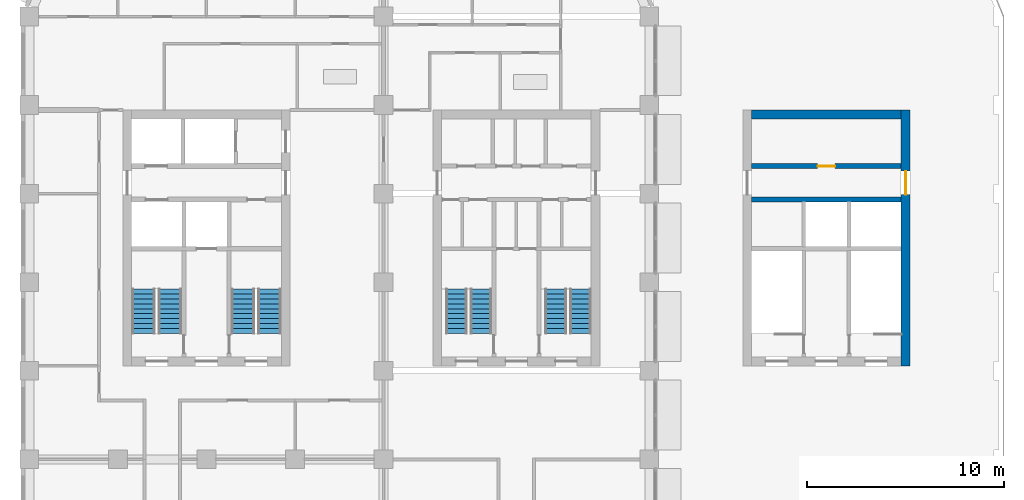
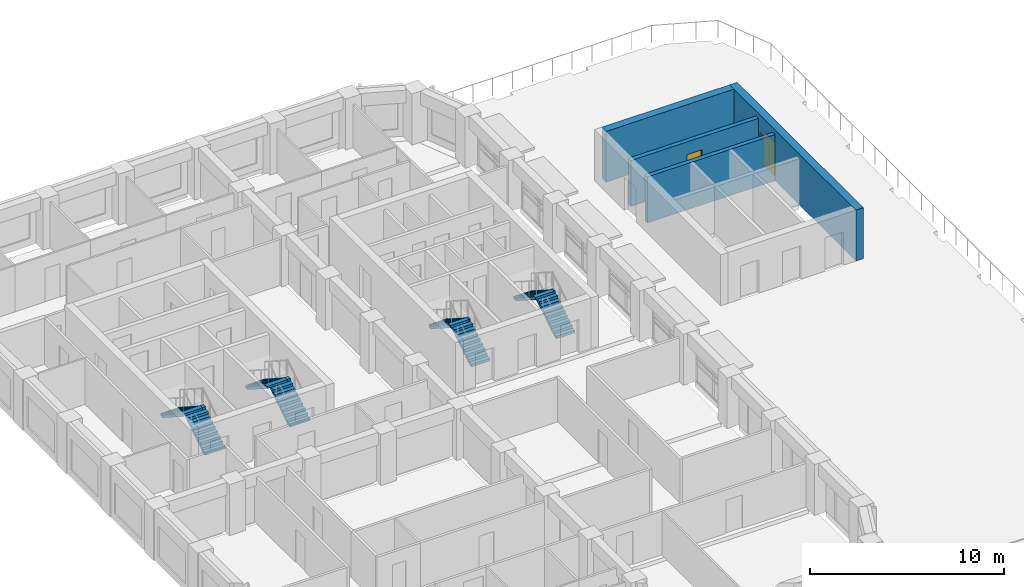
# One storey, part 12 of 15: 8 stair flights, 4 walls, 2 doors, 2 openings, 4 elements without a shape of their own.
"""IFC4 building model written with IfcOpenShell, lengths in metres."""

from ifc_helpers import new_model, si_unit, direction, frame, frame_2d, origin, place, context, subcontext, project, spatial, polyline, rectangle, outline, extrude, material, layer, layer_set, type_object, element, fill, aggregate, save


model = new_model("IFC4")

# Units and contexts
model_context = context("Model", 3, precision=1e-05, world=origin(), true_north=direction((0.0, 1.0)))
body_context = subcontext(model_context, "Body", "Model", "MODEL_VIEW")
ifc_project = project(units=[si_unit("LENGTHUNIT", "METRE"), si_unit("AREAUNIT", "SQUARE_METRE"), si_unit("VOLUMEUNIT", "CUBIC_METRE"), si_unit("PLANEANGLEUNIT", "RADIAN"), si_unit("MASSUNIT", "GRAM", prefix="KILO")], contexts=[model_context])

# Site, building, storey
site_placement = place(None, origin())
site = spatial("IfcSite", under=ifc_project, at=site_placement, CompositionType="ELEMENT")
building_placement = place(site_placement, origin())
building = spatial("IfcBuilding", under=site, at=building_placement, Name="Girih Gate Residences", CompositionType="ELEMENT")
storey_placement = place(building_placement, frame((0.0, 0.0, 176.300048828125)))
storey = spatial("IfcBuildingStorey", under=building, at=storey_placement, Name="L48", CompositionType="ELEMENT", Elevation=176.300048828125)

# Wall
ifc_material_1 = material(Name="Concrete C60/75", Category="concrete")
ifc_layer_1 = layer(ifc_material_1, 0.449951171875)
ifc_layer_set_1 = layer_set([ifc_layer_1], Name="Core wall RC 450 Concrete C60/75")
wall_type_1 = type_object("IfcWallType", Name="Core wall RC 450 Concrete C60/75", PredefinedType="SOLIDWALL", material=ifc_layer_set_1)
wall_1_placement = place(storey_placement, frame((36.699951171875, 40.02490234375, 0.0), z_axis=(0.0, 0.0, 1.0), x_axis=(1.0, 0.0, 0.0)))
element("IfcWall", 1, at=wall_1_placement, inside=storey, type_object=wall_type_1, Name="Core wall E-N L48", PredefinedType="SOLIDWALL", context=body_context, shape_type="SweptSolid", body=[
    extrude(rectangle(XDim=7.60009765625, YDim=0.449951171875, at=frame_2d((3.800048828125, 0.0))), origin(), (0.0, 0.0, 1.0), 3.199951171875),
])

# Wall, opening, door
wall_2_placement = place(storey_placement, frame((44.52490234375, 27.25, 0.0), z_axis=(0.0, 0.0, 1.0), x_axis=(0.0, 1.0, 0.0)))
wall_2 = element("IfcWall", 2, at=wall_2_placement, inside=storey, type_object=wall_type_1, Name="Core wall E-E L48", PredefinedType="SOLIDWALL", context=body_context, shape_type="SweptSolid", body=[
    extrude(rectangle(XDim=13.0, YDim=0.449951171875, at=frame_2d((6.5, 0.0))), origin(), (0.0, 0.0, 1.0), 3.199951171875),
])
opening_1_placement = place(wall_2_placement, frame((8.699951171875, 0.0, 0.0)))
opening_1 = element("IfcOpeningElement", 3, at=opening_1_placement, cuts=wall_2, Name="Opening D-L48-E-008", PredefinedType="OPENING", context=body_context, shape_type="SweptSolid", body=[
    extrude(rectangle(XDim=1.199951171875, YDim=2.10009765625, at=frame_2d((0.60009765625, 1.050048828125))), frame((0.0, 0.23486328125, 0.0), z_axis=(0.0, -1.0, 0.0), x_axis=(1.0, 0.0, 0.0)), (0.0, 0.0, 1.0), 0.469970703125),
])
ifc_material_2 = material(Name="Painted steel, fire-resisting", Category="steel")
door_type_1 = type_object("IfcDoorType", Name="Fire door 1200x2100", OperationType="SINGLE_SWING_LEFT", PredefinedType="DOOR", material=ifc_material_2)
door_1_placement = place(opening_1_placement, origin())
door_1 = element("IfcDoor", 4, at=door_1_placement, inside=storey, type_object=door_type_1, Name="L48 E core door ll-e", OperationType="SINGLE_SWING_LEFT", OverallHeight=2.10009765625, OverallWidth=1.199951171875, PredefinedType="DOOR", context=body_context, shape_type="SweptSolid", body=[
    extrude(rectangle(XDim=1.199951171875, YDim=2.10009765625, at=frame_2d((0.60009765625, 1.050048828125))), frame((0.0, 0.02490234375, 0.0), z_axis=(0.0, -1.0, 0.0), x_axis=(1.0, 0.0, 0.0)), (0.0, 0.0, 1.0), 0.050048828125),
])
fill(opening_1, door_1)

# Wall
ifc_material_3 = material(Name="Concrete C40/50", Category="concrete")
ifc_layer_2 = layer(ifc_material_3, 0.25)
ifc_layer_set_2 = layer_set([ifc_layer_2], Name="Lift shaft wall 250")
wall_type_2 = type_object("IfcWallType", Name="Lift shaft wall 250", PredefinedType="SOLIDWALL", material=ifc_layer_set_2)
wall_3_placement = place(storey_placement, frame((36.699951171875, 35.699951171875, 0.0), z_axis=(0.0, 0.0, 1.0), x_axis=(1.0, 0.0, 0.0)))
element("IfcWall", 5, at=wall_3_placement, inside=storey, type_object=wall_type_2, Name="L48 E core wall H2", PredefinedType="SOLIDWALL", context=body_context, shape_type="SweptSolid", body=[
    extrude(rectangle(XDim=7.60009765625, YDim=0.25, at=frame_2d((3.800048828125, 0.0))), origin(), (0.0, 0.0, 1.0), 2.89990234375),
])

# Wall, opening, door
wall_4_placement = place(storey_placement, frame((36.699951171875, 37.39990234375, 0.0), z_axis=(0.0, 0.0, 1.0), x_axis=(1.0, 0.0, 0.0)))
wall_4 = element("IfcWall", 6, at=wall_4_placement, inside=storey, type_object=wall_type_2, Name="L48 E core wall H3", PredefinedType="SOLIDWALL", context=body_context, shape_type="SweptSolid", body=[
    extrude(rectangle(XDim=7.60009765625, YDim=0.25, at=frame_2d((3.800048828125, 0.0))), origin(), (0.0, 0.0, 1.0), 2.89990234375),
])
opening_2_placement = place(wall_4_placement, frame((3.35009765625, 0.0, 0.0)))
opening_2 = element("IfcOpeningElement", 7, at=opening_2_placement, cuts=wall_4, Name="Opening D-L48-E-003", PredefinedType="OPENING", context=body_context, shape_type="SweptSolid", body=[
    extrude(rectangle(XDim=0.89990234375, YDim=2.10009765625, at=frame_2d((0.449951171875, 1.050048828125))), frame((0.0, 0.135009765625, 0.0), z_axis=(0.0, -1.0, 0.0), x_axis=(1.0, 0.0, 0.0)), (0.0, 0.0, 1.0), 0.27001953125),
])
door_type_2 = type_object("IfcDoorType", Name="Fire door 900x2100", OperationType="SINGLE_SWING_LEFT", PredefinedType="DOOR", material=ifc_material_2)
door_2_placement = place(opening_2_placement, origin())
door_2 = element("IfcDoor", 8, at=door_2_placement, inside=storey, type_object=door_type_2, Name="L48 E terrace store door", OperationType="SINGLE_SWING_LEFT", OverallHeight=2.10009765625, OverallWidth=0.89990234375, PredefinedType="DOOR", context=body_context, shape_type="SweptSolid", body=[
    extrude(rectangle(XDim=0.89990234375, YDim=2.10009765625, at=frame_2d((0.449951171875, 1.050048828125))), frame((0.0, 0.02490234375, 0.0), z_axis=(0.0, -1.0, 0.0), x_axis=(1.0, 0.0, 0.0)), (0.0, 0.0, 1.0), 0.050048828125),
])
fill(opening_2, door_2)

# Stair, stair flights
stair_type_1 = type_object("IfcStairType", Name="Exit stair C core", PredefinedType="HALF_TURN_STAIR", material=ifc_material_3)
stair_1_placement = place(storey_placement, origin())
stair_1 = element("IfcStair", 9, at=stair_1_placement, inside=storey, type_object=stair_type_1, Name="L48 Exit Stair ST-C1", PredefinedType="HALF_TURN_STAIR")
stair_flight_type_1 = type_object("IfcStairFlightType", Name="Stair flight 1100", PredefinedType="STRAIGHT", material=ifc_material_3)
stair_flight_1_placement = place(storey_placement, frame((22.949951171875, 28.89990234375, 0.0), z_axis=(0.0, 0.0, 1.0), x_axis=(0.0, 1.0, 0.0)))
stair_flight_1 = element("IfcStairFlight", 10, at=stair_flight_1_placement, type_object=stair_flight_type_1, Name="ST-C1 flight 1", NumberOfRisers=10, NumberOfTreads=9, PredefinedType="STRAIGHT", RiserHeight=0.16, TreadLength=0.25, context=body_context, shape_type="SweptSolid", body=[
    extrude(outline(polyline([(0.0, 0.0), (0.0, 0.159912109375), (0.25, 0.159912109375), (0.25, 0.320068359375), (0.5, 0.320068359375), (0.5, 0.47998046875), (0.75, 0.47998046875), (0.75, 0.639892578125), (1.0, 0.639892578125), (1.0, 0.800048828125), (1.25, 0.800048828125), (1.25, 0.9599609375), (1.5, 0.9599609375), (1.5, 1.1201171875), (1.75, 1.1201171875), (1.75, 1.280029296875), (2.0, 1.280029296875), (2.0, 1.43994140625), (2.25, 1.43994140625), (2.25, 1.60009765625), (2.25, 1.29736328125), (0.222900390625, 0.0), (0.0, 0.0)])), frame((0.0, 0.550048828125, 0.0), z_axis=(0.0, -1.0, 0.0), x_axis=(1.0, 0.0, 0.0)), (0.0, 0.0, 1.0), 1.10009765625),
])
stair_flight_2_placement = place(storey_placement, frame((21.699951171875, 31.14990234375, 1.599853515625), z_axis=(0.0, 0.0, 1.0), x_axis=(0.0, -1.0, 0.0)))
stair_flight_2 = element("IfcStairFlight", 11, at=stair_flight_2_placement, type_object=stair_flight_type_1, Name="ST-C1 flight 2", NumberOfRisers=10, NumberOfTreads=9, PredefinedType="STRAIGHT", RiserHeight=0.16, TreadLength=0.25, context=body_context, shape_type="SweptSolid", body=[
    extrude(outline(polyline([(0.0, 0.0), (0.0, 0.159912109375), (0.25, 0.159912109375), (0.25, 0.320068359375), (0.5, 0.320068359375), (0.5, 0.47998046875), (0.75, 0.47998046875), (0.75, 0.639892578125), (1.0, 0.639892578125), (1.0, 0.800048828125), (1.25, 0.800048828125), (1.25, 0.9599609375), (1.5, 0.9599609375), (1.5, 1.1201171875), (1.75, 1.1201171875), (1.75, 1.280029296875), (2.0, 1.280029296875), (2.0, 1.43994140625), (2.25, 1.43994140625), (2.25, 1.60009765625), (2.25, 1.29736328125), (0.222900390625, 0.0), (0.0, 0.0)])), frame((0.0, 0.550048828125, 0.0), z_axis=(0.0, -1.0, 0.0), x_axis=(1.0, 0.0, 0.0)), (0.0, 0.0, 1.0), 1.10009765625),
])
aggregate(stair_1, [stair_flight_1, stair_flight_2])

stair_2_placement = place(storey_placement, origin())
stair_2 = element("IfcStair", 12, at=stair_2_placement, inside=storey, type_object=stair_type_1, Name="L48 Exit Stair ST-C2", PredefinedType="HALF_TURN_STAIR")
stair_flight_3_placement = place(storey_placement, frame((28.0, 28.89990234375, 0.0), z_axis=(0.0, 0.0, 1.0), x_axis=(0.0, 1.0, 0.0)))
stair_flight_3 = element("IfcStairFlight", 13, at=stair_flight_3_placement, type_object=stair_flight_type_1, Name="ST-C2 flight 1", NumberOfRisers=10, NumberOfTreads=9, PredefinedType="STRAIGHT", RiserHeight=0.16, TreadLength=0.25, context=body_context, shape_type="SweptSolid", body=[
    extrude(outline(polyline([(0.0, 0.0), (0.0, 0.159912109375), (0.25, 0.159912109375), (0.25, 0.320068359375), (0.5, 0.320068359375), (0.5, 0.47998046875), (0.75, 0.47998046875), (0.75, 0.639892578125), (1.0, 0.639892578125), (1.0, 0.800048828125), (1.25, 0.800048828125), (1.25, 0.9599609375), (1.5, 0.9599609375), (1.5, 1.1201171875), (1.75, 1.1201171875), (1.75, 1.280029296875), (2.0, 1.280029296875), (2.0, 1.43994140625), (2.25, 1.43994140625), (2.25, 1.60009765625), (2.25, 1.29736328125), (0.222900390625, 0.0), (0.0, 0.0)])), frame((0.0, 0.550048828125, 0.0), z_axis=(0.0, -1.0, 0.0), x_axis=(1.0, 0.0, 0.0)), (0.0, 0.0, 1.0), 1.10009765625),
])
stair_flight_4_placement = place(storey_placement, frame((26.75, 31.14990234375, 1.599853515625), z_axis=(0.0, 0.0, 1.0), x_axis=(0.0, -1.0, 0.0)))
stair_flight_4 = element("IfcStairFlight", 14, at=stair_flight_4_placement, type_object=stair_flight_type_1, Name="ST-C2 flight 2", NumberOfRisers=10, NumberOfTreads=9, PredefinedType="STRAIGHT", RiserHeight=0.16, TreadLength=0.25, context=body_context, shape_type="SweptSolid", body=[
    extrude(outline(polyline([(0.0, 0.0), (0.0, 0.159912109375), (0.25, 0.159912109375), (0.25, 0.320068359375), (0.5, 0.320068359375), (0.5, 0.47998046875), (0.75, 0.47998046875), (0.75, 0.639892578125), (1.0, 0.639892578125), (1.0, 0.800048828125), (1.25, 0.800048828125), (1.25, 0.9599609375), (1.5, 0.9599609375), (1.5, 1.1201171875), (1.75, 1.1201171875), (1.75, 1.280029296875), (2.0, 1.280029296875), (2.0, 1.43994140625), (2.25, 1.43994140625), (2.25, 1.60009765625), (2.25, 1.29736328125), (0.222900390625, 0.0), (0.0, 0.0)])), frame((0.0, 0.550048828125, 0.0), z_axis=(0.0, -1.0, 0.0), x_axis=(1.0, 0.0, 0.0)), (0.0, 0.0, 1.0), 1.10009765625),
])
aggregate(stair_2, [stair_flight_3, stair_flight_4])

stair_type_2 = type_object("IfcStairType", Name="Exit stair", PredefinedType="HALF_TURN_STAIR", material=ifc_material_3)
stair_3_placement = place(storey_placement, origin())
stair_3 = element("IfcStair", 15, at=stair_3_placement, inside=storey, type_object=stair_type_2, Name="L48 Exit Stair ST-W1", PredefinedType="HALF_TURN_STAIR")
stair_flight_type_2 = type_object("IfcStairFlightType", Name="Stair flight 1200", PredefinedType="STRAIGHT", material=ifc_material_3)
stair_flight_5_placement = place(storey_placement, frame((7.14990234375, 28.89990234375, 0.0), z_axis=(0.0, 0.0, 1.0), x_axis=(0.0, 1.0, 0.0)))
stair_flight_5 = element("IfcStairFlight", 16, at=stair_flight_5_placement, type_object=stair_flight_type_2, Name="ST-W1 flight 1", NumberOfRisers=10, NumberOfTreads=9, PredefinedType="STRAIGHT", RiserHeight=0.16, TreadLength=0.25, context=body_context, shape_type="SweptSolid", body=[
    extrude(outline(polyline([(0.0, 0.0), (0.0, 0.159912109375), (0.25, 0.159912109375), (0.25, 0.320068359375), (0.5, 0.320068359375), (0.5, 0.47998046875), (0.75, 0.47998046875), (0.75, 0.639892578125), (1.0, 0.639892578125), (1.0, 0.800048828125), (1.25, 0.800048828125), (1.25, 0.9599609375), (1.5, 0.9599609375), (1.5, 1.1201171875), (1.75, 1.1201171875), (1.75, 1.280029296875), (2.0, 1.280029296875), (2.0, 1.43994140625), (2.25, 1.43994140625), (2.25, 1.60009765625), (2.25, 1.29736328125), (0.222900390625, 0.0), (0.0, 0.0)])), frame((0.0, 0.60009765625, 0.0), z_axis=(0.0, -1.0, 0.0), x_axis=(1.0, 0.0, 0.0)), (0.0, 0.0, 1.0), 1.199951171875),
])
stair_flight_6_placement = place(storey_placement, frame((5.800048828125, 31.14990234375, 1.599853515625), z_axis=(0.0, 0.0, 1.0), x_axis=(0.0, -1.0, 0.0)))
stair_flight_6 = element("IfcStairFlight", 17, at=stair_flight_6_placement, type_object=stair_flight_type_2, Name="ST-W1 flight 2", NumberOfRisers=10, NumberOfTreads=9, PredefinedType="STRAIGHT", RiserHeight=0.16, TreadLength=0.25, context=body_context, shape_type="SweptSolid", body=[
    extrude(outline(polyline([(0.0, 0.0), (0.0, 0.159912109375), (0.25, 0.159912109375), (0.25, 0.320068359375), (0.5, 0.320068359375), (0.5, 0.47998046875), (0.75, 0.47998046875), (0.75, 0.639892578125), (1.0, 0.639892578125), (1.0, 0.800048828125), (1.25, 0.800048828125), (1.25, 0.9599609375), (1.5, 0.9599609375), (1.5, 1.1201171875), (1.75, 1.1201171875), (1.75, 1.280029296875), (2.0, 1.280029296875), (2.0, 1.43994140625), (2.25, 1.43994140625), (2.25, 1.60009765625), (2.25, 1.29736328125), (0.222900390625, 0.0), (0.0, 0.0)])), frame((0.0, 0.60009765625, 0.0), z_axis=(0.0, -1.0, 0.0), x_axis=(1.0, 0.0, 0.0)), (0.0, 0.0, 1.0), 1.199951171875),
])
aggregate(stair_3, [stair_flight_5, stair_flight_6])

stair_4_placement = place(storey_placement, origin())
stair_4 = element("IfcStair", 18, at=stair_4_placement, inside=storey, type_object=stair_type_2, Name="L48 Exit Stair ST-W2", PredefinedType="HALF_TURN_STAIR")
stair_flight_7_placement = place(storey_placement, frame((12.199951171875, 28.89990234375, 0.0), z_axis=(0.0, 0.0, 1.0), x_axis=(0.0, 1.0, 0.0)))
stair_flight_7 = element("IfcStairFlight", 19, at=stair_flight_7_placement, type_object=stair_flight_type_2, Name="ST-W2 flight 1", NumberOfRisers=10, NumberOfTreads=9, PredefinedType="STRAIGHT", RiserHeight=0.16, TreadLength=0.25, context=body_context, shape_type="SweptSolid", body=[
    extrude(outline(polyline([(0.0, 0.0), (0.0, 0.159912109375), (0.25, 0.159912109375), (0.25, 0.320068359375), (0.5, 0.320068359375), (0.5, 0.47998046875), (0.75, 0.47998046875), (0.75, 0.639892578125), (1.0, 0.639892578125), (1.0, 0.800048828125), (1.25, 0.800048828125), (1.25, 0.9599609375), (1.5, 0.9599609375), (1.5, 1.1201171875), (1.75, 1.1201171875), (1.75, 1.280029296875), (2.0, 1.280029296875), (2.0, 1.43994140625), (2.25, 1.43994140625), (2.25, 1.60009765625), (2.25, 1.29736328125), (0.222900390625, 0.0), (0.0, 0.0)])), frame((0.0, 0.60009765625, 0.0), z_axis=(0.0, -1.0, 0.0), x_axis=(1.0, 0.0, 0.0)), (0.0, 0.0, 1.0), 1.199951171875),
])
stair_flight_8_placement = place(storey_placement, frame((10.85009765625, 31.14990234375, 1.599853515625), z_axis=(0.0, 0.0, 1.0), x_axis=(0.0, -1.0, 0.0)))
stair_flight_8 = element("IfcStairFlight", 20, at=stair_flight_8_placement, type_object=stair_flight_type_2, Name="ST-W2 flight 2", NumberOfRisers=10, NumberOfTreads=9, PredefinedType="STRAIGHT", RiserHeight=0.16, TreadLength=0.25, context=body_context, shape_type="SweptSolid", body=[
    extrude(outline(polyline([(0.0, 0.0), (0.0, 0.159912109375), (0.25, 0.159912109375), (0.25, 0.320068359375), (0.5, 0.320068359375), (0.5, 0.47998046875), (0.75, 0.47998046875), (0.75, 0.639892578125), (1.0, 0.639892578125), (1.0, 0.800048828125), (1.25, 0.800048828125), (1.25, 0.9599609375), (1.5, 0.9599609375), (1.5, 1.1201171875), (1.75, 1.1201171875), (1.75, 1.280029296875), (2.0, 1.280029296875), (2.0, 1.43994140625), (2.25, 1.43994140625), (2.25, 1.60009765625), (2.25, 1.29736328125), (0.222900390625, 0.0), (0.0, 0.0)])), frame((0.0, 0.60009765625, 0.0), z_axis=(0.0, -1.0, 0.0), x_axis=(1.0, 0.0, 0.0)), (0.0, 0.0, 1.0), 1.199951171875),
])
aggregate(stair_4, [stair_flight_7, stair_flight_8])

save(model, "model.ifc")
